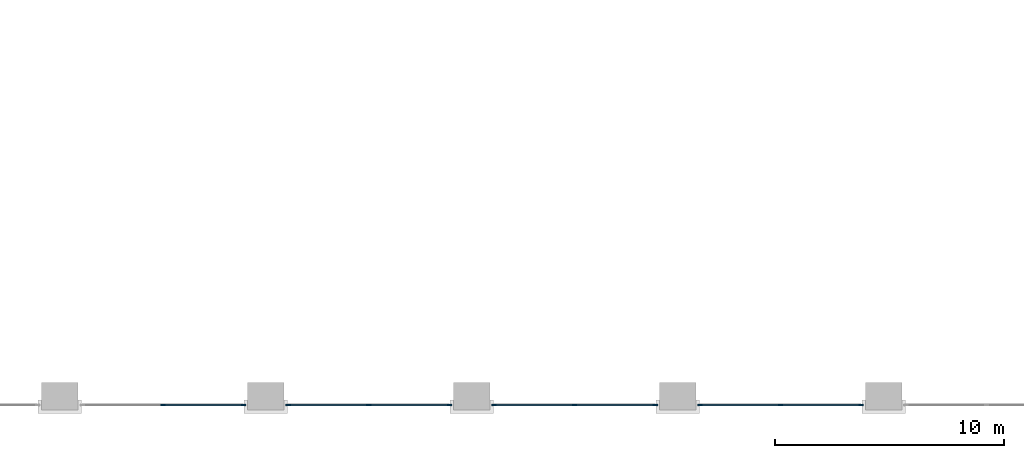
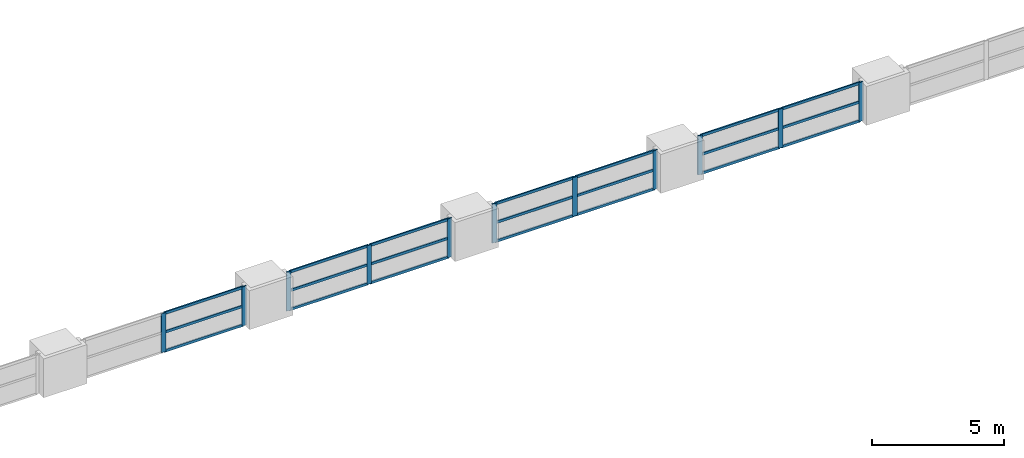
# One storey, part 4 of 32: 32 members, 4 elements without a shape of their own.
"""IFC4 building model written with IfcOpenShell, lengths in metres."""

import ifcopenshell
import ifcopenshell.guid

model = None  # the IFC model being written
_history = None  # IfcOwnerHistory: only IFC2X3 demands one
_inside = {}  # id of a spatial element -> (the spatial element, [elements in it])
_under = {}  # id of a project, library or spatial element -> (it, [spatial elements below it])
_declared = {}  # id of a project -> (the project, [libraries it declares])
_typed = {}  # id of a type object -> (the type object, [elements of that type])
_made_of = {}  # id of a material, layer set ... -> (it, [elements and type objects made of it])


def new_model(schema):
    """Start an empty IFC model of exactly this schema.

    Asked for "IFC4X3", IfcOpenShell would pick the latest addendum, in which some entities
    have other attributes; the version numbers below select the first issue.
    IFC2X3 requires an IfcOwnerHistory on every rooted entity: one is made here for all.
    """
    global model, _history
    if schema == "IFC4X3":
        model = ifcopenshell.file(schema_version=(4, 3, 0, 0))
    else:
        model = ifcopenshell.file(schema=schema)
    _inside.clear()
    _under.clear()
    _declared.clear()
    _typed.clear()
    _made_of.clear()
    _history = None
    if model.schema == "IFC2X3":
        org = make("IfcOrganization", Name="unknown")
        user = make(
            "IfcPersonAndOrganization",
            ThePerson=make("IfcPerson", FamilyName="unknown"),
            TheOrganization=org,
        )
        app = make(
            "IfcApplication",
            ApplicationDeveloper=org,
            Version="unknown",
            ApplicationFullName="unknown",
            ApplicationIdentifier="unknown",
        )
        _history = make(
            "IfcOwnerHistory",
            OwningUser=user,
            OwningApplication=app,
            ChangeAction="ADDED",
            CreationDate=0,
        )
    return model


def make(cls, **values):
    """One entity of the class cls with the attributes given. An attribute that is None is left unset."""
    return model.create_entity(
        cls, **{name: value for name, value in values.items() if value is not None}
    )


def rooted(cls, **values):
    """An entity with a GlobalId (a new one), such as an element, a storey or a relation."""
    return make(cls, GlobalId=ifcopenshell.guid.new(), OwnerHistory=_history, **values)


def si_unit(unit_type, name, prefix=None):
    """IfcSIUnit, for example si_unit("LENGTHUNIT", "METRE", prefix="MILLI")."""
    return make("IfcSIUnit", UnitType=unit_type, Prefix=prefix, Name=name)


def assignment(units):
    """IfcUnitAssignment: the units of a project."""
    return None if units is None else make("IfcUnitAssignment", Units=units)


def point(xyz):
    """IfcCartesianPoint."""
    return None if xyz is None else make("IfcCartesianPoint", Coordinates=xyz)


def direction(xyz):
    """IfcDirection."""
    return None if xyz is None else make("IfcDirection", DirectionRatios=xyz)


def frame(location, z_axis=None, x_axis=None):
    """IfcAxis2Placement3D, a coordinate frame: its origin and axes. An axis left out is left unset."""
    return make(
        "IfcAxis2Placement3D",
        Location=point(location),
        Axis=direction(z_axis),
        RefDirection=direction(x_axis),
    )


def frame_2d(location, x_axis=None):
    """IfcAxis2Placement2D, a coordinate frame in the plane: its origin and x axis."""
    return make(
        "IfcAxis2Placement2D", Location=point(location), RefDirection=direction(x_axis)
    )


def origin():
    """The frame at (0, 0, 0) with its axes left unset."""
    return frame((0.0, 0.0, 0.0))


def origin_2d():
    """The frame at (0, 0) in the plane with its x axis left unset."""
    return frame_2d((0.0, 0.0))


def place(relative_to, where):
    """IfcLocalPlacement: puts the frame where relative to a parent placement (None: the world)."""
    return make(
        "IfcLocalPlacement", PlacementRelTo=relative_to, RelativePlacement=where
    )


def context(
    kind, dimensions, precision=None, world=None, true_north=None, identifier=None
):
    """IfcGeometricRepresentationContext, for example the 3D "Model" context."""
    return make(
        "IfcGeometricRepresentationContext",
        ContextIdentifier=identifier,
        ContextType=kind,
        CoordinateSpaceDimension=dimensions,
        Precision=precision,
        WorldCoordinateSystem=world,
        TrueNorth=true_north,
    )


def subcontext(parent, identifier, kind, view, scale=None):
    """IfcGeometricRepresentationSubContext, for example "Body" below "Model"."""
    return make(
        "IfcGeometricRepresentationSubContext",
        ContextIdentifier=identifier,
        ContextType=kind,
        ParentContext=parent,
        TargetScale=scale,
        TargetView=view,
    )


def project(units=None, contexts=None):
    """IfcProject with its units and contexts."""
    return rooted(
        "IfcProject",
        Name="project",
        RepresentationContexts=contexts,
        UnitsInContext=assignment(units),
    )


def spatial(cls, under=None, at=None, **own):
    """A site, building, storey or space (cls), placed at a placement, below another one or the project."""
    s = rooted(cls, ObjectPlacement=at, **own)
    if under is not None:
        _under.setdefault(under.id(), (under, []))[1].append(s)
    return s


def profile(cls, at=None, kind="AREA", **sizes):
    """A parametric profile (cls). Its sizes go by their IFC names, for example OverallWidth=200.0."""
    return make(cls, ProfileType=kind, Position=at, **sizes)


def rectangle(**sizes):
    """IfcRectangleProfileDef."""
    return profile("IfcRectangleProfileDef", **sizes)


def extrude(swept, where, along, depth):
    """IfcExtrudedAreaSolid: the profile swept, set in the frame where, extruded along a direction by depth."""
    return make(
        "IfcExtrudedAreaSolid",
        SweptArea=swept,
        Position=where,
        ExtrudedDirection=direction(along),
        Depth=depth,
    )


def shape(context_of_items, identifier, shape_type, items):
    """IfcShapeRepresentation: the items that make up one representation, for example the "Body"."""
    return make(
        "IfcShapeRepresentation",
        ContextOfItems=context_of_items,
        RepresentationIdentifier=identifier,
        RepresentationType=shape_type,
        Items=items,
    )


def material(Name=None, Category=None):
    """IfcMaterial."""
    return make("IfcMaterial", Name=Name, Category=Category)


def material_profile(
    of_material, cross_section, Name=None, Category=None, Priority=None
):
    """IfcMaterialProfile: a cross section and its material."""
    return make(
        "IfcMaterialProfile",
        Name=Name,
        Material=of_material,
        Profile=cross_section,
        Priority=Priority,
        Category=Category,
    )


def profile_set(profiles, Name=None, composite=None):
    """IfcMaterialProfileSet."""
    return make(
        "IfcMaterialProfileSet",
        Name=Name,
        MaterialProfiles=profiles,
        CompositeProfile=composite,
    )


def made_of(thing, what):
    """Note that an element or type object is made of a material, layer set ...; save() writes the relation."""
    if what is not None:
        _made_of.setdefault(what.id(), (what, []))[1].append(thing)
    return thing


def type_object(cls, material=None, **own):
    """A type object (cls), such as IfcWallType, which elements share."""
    return made_of(rooted(cls, **own), material)


def element(
    cls,
    number,
    at=None,
    inside=None,
    cuts=None,
    type_object=None,
    material=None,
    context=None,
    identifier="Body",
    shape_type=None,
    held_by="IfcProductDefinitionShape",
    body=None,
    shapes=None,
    **own,
):
    """One element of the class cls, such as IfcWall. Its Tag is "e" and its number.

    at: its placement. inside: the storey or other place that contains it. cuts: it is an
    opening in that element (IfcRelVoidsElement). A single representation is given by context,
    identifier, shape_type and body (its items); several are given by shapes. held_by: the class
    of the entity that holds the representations. save() writes the other relations.
    """
    e = rooted(cls, Tag="e%d" % number, ObjectPlacement=at, **own)
    if body is not None:
        shapes = [shape(context, identifier, shape_type, body)]
    if shapes is not None:
        e.Representation = make(held_by, Representations=shapes)
    if inside is not None:
        _inside.setdefault(inside.id(), (inside, []))[1].append(e)
    if cuts is not None:
        rooted(
            "IfcRelVoidsElement", RelatingBuildingElement=cuts, RelatedOpeningElement=e
        )
    if type_object is not None:
        _typed.setdefault(type_object.id(), (type_object, []))[1].append(e)
    return made_of(e, material)


def aggregate(whole, parts):
    """IfcRelAggregates: a whole, such as a stair, and the parts it consists of."""
    return rooted("IfcRelAggregates", RelatingObject=whole, RelatedObjects=parts)


def save(model, path):
    """Write the relations noted so far, then the file.

    IfcRelAggregates (storeys below a building ...), IfcRelContainedInSpatialStructure (elements
    in a storey), IfcRelDefinesByType, IfcRelAssociatesMaterial and IfcRelDeclares: one each for
    every whole, place, type object, material and project.
    """
    for whole, parts in _under.values():
        aggregate(whole, parts)
    for where, things in _inside.values():
        rooted(
            "IfcRelContainedInSpatialStructure",
            RelatedElements=things,
            RelatingStructure=where,
        )
    for kind, things in _typed.values():
        rooted("IfcRelDefinesByType", RelatedObjects=things, RelatingType=kind)
    for what, things in _made_of.values():
        rooted("IfcRelAssociatesMaterial", RelatedObjects=things, RelatingMaterial=what)
    for by, libraries in _declared.values():
        rooted("IfcRelDeclares", RelatingContext=by, RelatedDefinitions=libraries)
    model.write(path)


model = new_model("IFC4")

# Units and contexts
model_context = context("Model", 3, precision=1e-05, world=origin(), true_north=direction((0.0, 1.0)))
body_context = subcontext(model_context, "Body", "Model", "MODEL_VIEW")
ifc_project = project(units=[si_unit("LENGTHUNIT", "METRE"), si_unit("AREAUNIT", "SQUARE_METRE"), si_unit("VOLUMEUNIT", "CUBIC_METRE"), si_unit("PLANEANGLEUNIT", "RADIAN"), si_unit("MASSUNIT", "GRAM", prefix="KILO")], contexts=[model_context])

# Site, building, storey
site_placement = place(None, origin())
site = spatial("IfcSite", under=ifc_project, at=site_placement, CompositionType="ELEMENT")
building_placement = place(site_placement, origin())
building = spatial("IfcBuilding", under=site, at=building_placement, Name="Aravalli Gate Trade Fair Centre", CompositionType="ELEMENT")
storey_placement = place(building_placement, frame((0.0, 0.0, 23.39990234375)))
storey = spatial("IfcBuildingStorey", under=building, at=storey_placement, Name="ROOF LEVEL 1", CompositionType="ELEMENT", Elevation=23.39990234375)

# Curtain wall, members
ifc_material_1 = material(Name="Aluminium, glass and louvre", Category="aluminium")
curtain_wall_type = type_object("IfcCurtainWallType", Name="Hall crown curtain wall 3000 module", PredefinedType="NOTDEFINED", material=ifc_material_1)
curtain_wall_1_placement = place(storey_placement, origin())
curtain_wall_1 = element("IfcCurtainWall", 1, at=curtain_wall_1_placement, inside=storey, type_object=curtain_wall_type, Name="Hall south crown curtain wall bay 4 ROOF LEVEL 1", PredefinedType="NOTDEFINED")
ifc_material_2 = material(Name="Aluminium", Category="aluminium")
ifc_material_profile_1 = material_profile(ifc_material_2, rectangle(XDim=0.06005859375, YDim=0.199951171875, at=origin_2d()), Name="Hall curtain wall mullion 60 x 200")
ifc_profile_set_1 = profile_set([ifc_material_profile_1], Name="Aluminium")
member_type_1 = type_object("IfcMemberType", Name="Hall curtain wall mullion 60 x 200", PredefinedType="MULLION", material=ifc_profile_set_1)
member_1_placement = place(storey_placement, frame((37.5, 45.625, 0.0), z_axis=(0.0, 0.0, 1.0), x_axis=(0.0, 1.0, 0.0)))
member_1 = element("IfcMember", 2, at=member_1_placement, type_object=member_type_1, Name="HCW1 mullion 2", PredefinedType="MULLION", context=body_context, shape_type="SweptSolid", body=[
    extrude(rectangle(XDim=0.06005859375, YDim=0.199951171875, at=origin_2d()), origin(), (0.0, 0.0, 1.0), 1.800048828125),
])
member_2_placement = place(storey_placement, frame((41.02001953125, 45.625, 0.0), z_axis=(0.0, 0.0, 1.0), x_axis=(0.0, 1.0, 0.0)))
member_2 = element("IfcMember", 3, at=member_2_placement, type_object=member_type_1, Name="HCW1 mullion 3", PredefinedType="MULLION", context=body_context, shape_type="SweptSolid", body=[
    extrude(rectangle(XDim=0.06005859375, YDim=0.199951171875, at=origin_2d()), origin(), (0.0, 0.0, 1.0), 1.800048828125),
])

curtain_wall_2_placement = place(storey_placement, origin())
curtain_wall_2 = element("IfcCurtainWall", 4, at=curtain_wall_2_placement, inside=storey, type_object=curtain_wall_type, Name="Hall south crown curtain wall bay 5 ROOF LEVEL 1", PredefinedType="NOTDEFINED")
member_3_placement = place(storey_placement, frame((42.97998046875, 45.625, 0.0), z_axis=(0.0, 0.0, 1.0), x_axis=(0.0, 1.0, 0.0)))
member_3 = element("IfcMember", 5, at=member_3_placement, type_object=member_type_1, Name="HCW1 mullion 1", PredefinedType="MULLION", context=body_context, shape_type="SweptSolid", body=[
    extrude(rectangle(XDim=0.06005859375, YDim=0.199951171875, at=origin_2d()), origin(), (0.0, 0.0, 1.0), 1.800048828125),
])
member_4_placement = place(storey_placement, frame((46.5, 45.625, 0.0), z_axis=(0.0, 0.0, 1.0), x_axis=(0.0, 1.0, 0.0)))
member_4 = element("IfcMember", 6, at=member_4_placement, type_object=member_type_1, Name="HCW1 mullion 2", PredefinedType="MULLION", context=body_context, shape_type="SweptSolid", body=[
    extrude(rectangle(XDim=0.06005859375, YDim=0.199951171875, at=origin_2d()), origin(), (0.0, 0.0, 1.0), 1.800048828125),
])
member_5_placement = place(storey_placement, frame((50.02001953125, 45.625, 0.0), z_axis=(0.0, 0.0, 1.0), x_axis=(0.0, 1.0, 0.0)))
member_5 = element("IfcMember", 7, at=member_5_placement, type_object=member_type_1, Name="HCW1 mullion 3", PredefinedType="MULLION", context=body_context, shape_type="SweptSolid", body=[
    extrude(rectangle(XDim=0.06005859375, YDim=0.199951171875, at=origin_2d()), origin(), (0.0, 0.0, 1.0), 1.800048828125),
])

curtain_wall_3_placement = place(storey_placement, origin())
curtain_wall_3 = element("IfcCurtainWall", 8, at=curtain_wall_3_placement, inside=storey, type_object=curtain_wall_type, Name="Hall south crown curtain wall bay 6 ROOF LEVEL 1", PredefinedType="NOTDEFINED")
member_6_placement = place(storey_placement, frame((51.97998046875, 45.625, 0.0), z_axis=(0.0, 0.0, 1.0), x_axis=(0.0, 1.0, 0.0)))
member_6 = element("IfcMember", 9, at=member_6_placement, type_object=member_type_1, Name="HCW1 mullion 1", PredefinedType="MULLION", context=body_context, shape_type="SweptSolid", body=[
    extrude(rectangle(XDim=0.06005859375, YDim=0.199951171875, at=origin_2d()), origin(), (0.0, 0.0, 1.0), 1.800048828125),
])
member_7_placement = place(storey_placement, frame((55.5, 45.625, 0.0), z_axis=(0.0, 0.0, 1.0), x_axis=(0.0, 1.0, 0.0)))
member_7 = element("IfcMember", 10, at=member_7_placement, type_object=member_type_1, Name="HCW1 mullion 2", PredefinedType="MULLION", context=body_context, shape_type="SweptSolid", body=[
    extrude(rectangle(XDim=0.06005859375, YDim=0.199951171875, at=origin_2d()), origin(), (0.0, 0.0, 1.0), 1.800048828125),
])
member_8_placement = place(storey_placement, frame((59.02001953125, 45.625, 0.0), z_axis=(0.0, 0.0, 1.0), x_axis=(0.0, 1.0, 0.0)))
member_8 = element("IfcMember", 11, at=member_8_placement, type_object=member_type_1, Name="HCW1 mullion 3", PredefinedType="MULLION", context=body_context, shape_type="SweptSolid", body=[
    extrude(rectangle(XDim=0.06005859375, YDim=0.199951171875, at=origin_2d()), origin(), (0.0, 0.0, 1.0), 1.800048828125),
])

curtain_wall_4_placement = place(storey_placement, origin())
curtain_wall_4 = element("IfcCurtainWall", 12, at=curtain_wall_4_placement, inside=storey, type_object=curtain_wall_type, Name="Hall south crown curtain wall bay 7 ROOF LEVEL 1", PredefinedType="NOTDEFINED")
member_9_placement = place(storey_placement, frame((60.97998046875, 45.625, 0.0), z_axis=(0.0, 0.0, 1.0), x_axis=(0.0, 1.0, 0.0)))
member_9 = element("IfcMember", 13, at=member_9_placement, type_object=member_type_1, Name="HCW1 mullion 1", PredefinedType="MULLION", context=body_context, shape_type="SweptSolid", body=[
    extrude(rectangle(XDim=0.06005859375, YDim=0.199951171875, at=origin_2d()), origin(), (0.0, 0.0, 1.0), 1.800048828125),
])
member_10_placement = place(storey_placement, frame((64.5, 45.625, 0.0), z_axis=(0.0, 0.0, 1.0), x_axis=(0.0, 1.0, 0.0)))
member_10 = element("IfcMember", 14, at=member_10_placement, type_object=member_type_1, Name="HCW1 mullion 2", PredefinedType="MULLION", context=body_context, shape_type="SweptSolid", body=[
    extrude(rectangle(XDim=0.06005859375, YDim=0.199951171875, at=origin_2d()), origin(), (0.0, 0.0, 1.0), 1.800048828125),
])
member_11_placement = place(storey_placement, frame((68.02001953125, 45.625, 0.0), z_axis=(0.0, 0.0, 1.0), x_axis=(0.0, 1.0, 0.0)))
member_11 = element("IfcMember", 15, at=member_11_placement, type_object=member_type_1, Name="HCW1 mullion 3", PredefinedType="MULLION", context=body_context, shape_type="SweptSolid", body=[
    extrude(rectangle(XDim=0.06005859375, YDim=0.199951171875, at=origin_2d()), origin(), (0.0, 0.0, 1.0), 1.800048828125),
])

# Member
ifc_material_profile_2 = material_profile(ifc_material_2, rectangle(XDim=0.06005859375, YDim=0.1201171875, at=origin_2d()), Name="Hall curtain wall transom 60 x 120")
ifc_profile_set_2 = profile_set([ifc_material_profile_2], Name="Aluminium")
member_type_2 = type_object("IfcMemberType", Name="Hall curtain wall transom 60 x 120", PredefinedType="USERDEFINED", material=ifc_profile_set_2)
member_12_placement = place(storey_placement, frame((37.530029296875, 45.625, 0.030029296875), z_axis=(1.0, 0.0, 0.0), x_axis=(0.0, 1.0, 0.0)))
member_12 = element("IfcMember", 16, at=member_12_placement, type_object=member_type_2, Name="HCW1 transom 2.1", ObjectType="TRANSOM", PredefinedType="USERDEFINED", context=body_context, shape_type="SweptSolid", body=[
    extrude(rectangle(XDim=0.06005859375, YDim=0.1201171875, at=origin_2d()), origin(), (0.0, 0.0, 1.0), 3.4599609375),
])

member_13_placement = place(storey_placement, frame((37.530029296875, 45.625, 0.900146484375), z_axis=(1.0, 0.0, 0.0), x_axis=(0.0, 1.0, 0.0)))
member_13 = element("IfcMember", 17, at=member_13_placement, type_object=member_type_2, Name="HCW1 transom 2.2", ObjectType="TRANSOM", PredefinedType="USERDEFINED", context=body_context, shape_type="SweptSolid", body=[
    extrude(rectangle(XDim=0.06005859375, YDim=0.1201171875, at=origin_2d()), origin(), (0.0, 0.0, 1.0), 3.4599609375),
])

member_14_placement = place(storey_placement, frame((37.530029296875, 45.625, 1.77001953125), z_axis=(1.0, 0.0, 0.0), x_axis=(0.0, 1.0, 0.0)))
member_14 = element("IfcMember", 18, at=member_14_placement, type_object=member_type_2, Name="HCW1 transom 2.3", ObjectType="TRANSOM", PredefinedType="USERDEFINED", context=body_context, shape_type="SweptSolid", body=[
    extrude(rectangle(XDim=0.06005859375, YDim=0.1201171875, at=origin_2d()), origin(), (0.0, 0.0, 1.0), 3.4599609375),
])

aggregate(curtain_wall_1, [member_1, member_2, member_12, member_13, member_14])

member_15_placement = place(storey_placement, frame((43.010009765625, 45.625, 0.030029296875), z_axis=(1.0, 0.0, 0.0), x_axis=(0.0, 1.0, 0.0)))
member_15 = element("IfcMember", 19, at=member_15_placement, type_object=member_type_2, Name="HCW1 transom 1.1", ObjectType="TRANSOM", PredefinedType="USERDEFINED", context=body_context, shape_type="SweptSolid", body=[
    extrude(rectangle(XDim=0.06005859375, YDim=0.1201171875, at=origin_2d()), origin(), (0.0, 0.0, 1.0), 3.4599609375),
])

member_16_placement = place(storey_placement, frame((43.010009765625, 45.625, 0.900146484375), z_axis=(1.0, 0.0, 0.0), x_axis=(0.0, 1.0, 0.0)))
member_16 = element("IfcMember", 20, at=member_16_placement, type_object=member_type_2, Name="HCW1 transom 1.2", ObjectType="TRANSOM", PredefinedType="USERDEFINED", context=body_context, shape_type="SweptSolid", body=[
    extrude(rectangle(XDim=0.06005859375, YDim=0.1201171875, at=origin_2d()), origin(), (0.0, 0.0, 1.0), 3.4599609375),
])

member_17_placement = place(storey_placement, frame((43.010009765625, 45.625, 1.77001953125), z_axis=(1.0, 0.0, 0.0), x_axis=(0.0, 1.0, 0.0)))
member_17 = element("IfcMember", 21, at=member_17_placement, type_object=member_type_2, Name="HCW1 transom 1.3", ObjectType="TRANSOM", PredefinedType="USERDEFINED", context=body_context, shape_type="SweptSolid", body=[
    extrude(rectangle(XDim=0.06005859375, YDim=0.1201171875, at=origin_2d()), origin(), (0.0, 0.0, 1.0), 3.4599609375),
])

member_18_placement = place(storey_placement, frame((46.530029296875, 45.625, 0.030029296875), z_axis=(1.0, 0.0, 0.0), x_axis=(0.0, 1.0, 0.0)))
member_18 = element("IfcMember", 22, at=member_18_placement, type_object=member_type_2, Name="HCW1 transom 2.1", ObjectType="TRANSOM", PredefinedType="USERDEFINED", context=body_context, shape_type="SweptSolid", body=[
    extrude(rectangle(XDim=0.06005859375, YDim=0.1201171875, at=origin_2d()), origin(), (0.0, 0.0, 1.0), 3.4599609375),
])

member_19_placement = place(storey_placement, frame((46.530029296875, 45.625, 0.900146484375), z_axis=(1.0, 0.0, 0.0), x_axis=(0.0, 1.0, 0.0)))
member_19 = element("IfcMember", 23, at=member_19_placement, type_object=member_type_2, Name="HCW1 transom 2.2", ObjectType="TRANSOM", PredefinedType="USERDEFINED", context=body_context, shape_type="SweptSolid", body=[
    extrude(rectangle(XDim=0.06005859375, YDim=0.1201171875, at=origin_2d()), origin(), (0.0, 0.0, 1.0), 3.4599609375),
])

member_20_placement = place(storey_placement, frame((46.530029296875, 45.625, 1.77001953125), z_axis=(1.0, 0.0, 0.0), x_axis=(0.0, 1.0, 0.0)))
member_20 = element("IfcMember", 24, at=member_20_placement, type_object=member_type_2, Name="HCW1 transom 2.3", ObjectType="TRANSOM", PredefinedType="USERDEFINED", context=body_context, shape_type="SweptSolid", body=[
    extrude(rectangle(XDim=0.06005859375, YDim=0.1201171875, at=origin_2d()), origin(), (0.0, 0.0, 1.0), 3.4599609375),
])

aggregate(curtain_wall_2, [member_3, member_4, member_5, member_15, member_16, member_17, member_18, member_19, member_20])

member_21_placement = place(storey_placement, frame((52.010009765625, 45.625, 0.030029296875), z_axis=(1.0, 0.0, 0.0), x_axis=(0.0, 1.0, 0.0)))
member_21 = element("IfcMember", 25, at=member_21_placement, type_object=member_type_2, Name="HCW1 transom 1.1", ObjectType="TRANSOM", PredefinedType="USERDEFINED", context=body_context, shape_type="SweptSolid", body=[
    extrude(rectangle(XDim=0.06005859375, YDim=0.1201171875, at=origin_2d()), origin(), (0.0, 0.0, 1.0), 3.4599609375),
])

member_22_placement = place(storey_placement, frame((52.010009765625, 45.625, 0.900146484375), z_axis=(1.0, 0.0, 0.0), x_axis=(0.0, 1.0, 0.0)))
member_22 = element("IfcMember", 26, at=member_22_placement, type_object=member_type_2, Name="HCW1 transom 1.2", ObjectType="TRANSOM", PredefinedType="USERDEFINED", context=body_context, shape_type="SweptSolid", body=[
    extrude(rectangle(XDim=0.06005859375, YDim=0.1201171875, at=origin_2d()), origin(), (0.0, 0.0, 1.0), 3.4599609375),
])

member_23_placement = place(storey_placement, frame((52.010009765625, 45.625, 1.77001953125), z_axis=(1.0, 0.0, 0.0), x_axis=(0.0, 1.0, 0.0)))
member_23 = element("IfcMember", 27, at=member_23_placement, type_object=member_type_2, Name="HCW1 transom 1.3", ObjectType="TRANSOM", PredefinedType="USERDEFINED", context=body_context, shape_type="SweptSolid", body=[
    extrude(rectangle(XDim=0.06005859375, YDim=0.1201171875, at=origin_2d()), origin(), (0.0, 0.0, 1.0), 3.4599609375),
])

member_24_placement = place(storey_placement, frame((55.530029296875, 45.625, 0.030029296875), z_axis=(1.0, 0.0, 0.0), x_axis=(0.0, 1.0, 0.0)))
member_24 = element("IfcMember", 28, at=member_24_placement, type_object=member_type_2, Name="HCW1 transom 2.1", ObjectType="TRANSOM", PredefinedType="USERDEFINED", context=body_context, shape_type="SweptSolid", body=[
    extrude(rectangle(XDim=0.06005859375, YDim=0.1201171875, at=origin_2d()), origin(), (0.0, 0.0, 1.0), 3.4599609375),
])

member_25_placement = place(storey_placement, frame((55.530029296875, 45.625, 0.900146484375), z_axis=(1.0, 0.0, 0.0), x_axis=(0.0, 1.0, 0.0)))
member_25 = element("IfcMember", 29, at=member_25_placement, type_object=member_type_2, Name="HCW1 transom 2.2", ObjectType="TRANSOM", PredefinedType="USERDEFINED", context=body_context, shape_type="SweptSolid", body=[
    extrude(rectangle(XDim=0.06005859375, YDim=0.1201171875, at=origin_2d()), origin(), (0.0, 0.0, 1.0), 3.4599609375),
])

member_26_placement = place(storey_placement, frame((55.530029296875, 45.625, 1.77001953125), z_axis=(1.0, 0.0, 0.0), x_axis=(0.0, 1.0, 0.0)))
member_26 = element("IfcMember", 30, at=member_26_placement, type_object=member_type_2, Name="HCW1 transom 2.3", ObjectType="TRANSOM", PredefinedType="USERDEFINED", context=body_context, shape_type="SweptSolid", body=[
    extrude(rectangle(XDim=0.06005859375, YDim=0.1201171875, at=origin_2d()), origin(), (0.0, 0.0, 1.0), 3.4599609375),
])

aggregate(curtain_wall_3, [member_6, member_7, member_8, member_21, member_22, member_23, member_24, member_25, member_26])

member_27_placement = place(storey_placement, frame((61.010009765625, 45.625, 0.030029296875), z_axis=(1.0, 0.0, 0.0), x_axis=(0.0, 1.0, 0.0)))
member_27 = element("IfcMember", 31, at=member_27_placement, type_object=member_type_2, Name="HCW1 transom 1.1", ObjectType="TRANSOM", PredefinedType="USERDEFINED", context=body_context, shape_type="SweptSolid", body=[
    extrude(rectangle(XDim=0.06005859375, YDim=0.1201171875, at=origin_2d()), origin(), (0.0, 0.0, 1.0), 3.4599609375),
])

member_28_placement = place(storey_placement, frame((61.010009765625, 45.625, 0.900146484375), z_axis=(1.0, 0.0, 0.0), x_axis=(0.0, 1.0, 0.0)))
member_28 = element("IfcMember", 32, at=member_28_placement, type_object=member_type_2, Name="HCW1 transom 1.2", ObjectType="TRANSOM", PredefinedType="USERDEFINED", context=body_context, shape_type="SweptSolid", body=[
    extrude(rectangle(XDim=0.06005859375, YDim=0.1201171875, at=origin_2d()), origin(), (0.0, 0.0, 1.0), 3.4599609375),
])

member_29_placement = place(storey_placement, frame((61.010009765625, 45.625, 1.77001953125), z_axis=(1.0, 0.0, 0.0), x_axis=(0.0, 1.0, 0.0)))
member_29 = element("IfcMember", 33, at=member_29_placement, type_object=member_type_2, Name="HCW1 transom 1.3", ObjectType="TRANSOM", PredefinedType="USERDEFINED", context=body_context, shape_type="SweptSolid", body=[
    extrude(rectangle(XDim=0.06005859375, YDim=0.1201171875, at=origin_2d()), origin(), (0.0, 0.0, 1.0), 3.4599609375),
])

member_30_placement = place(storey_placement, frame((64.530029296875, 45.625, 0.030029296875), z_axis=(1.0, 0.0, 0.0), x_axis=(0.0, 1.0, 0.0)))
member_30 = element("IfcMember", 34, at=member_30_placement, type_object=member_type_2, Name="HCW1 transom 2.1", ObjectType="TRANSOM", PredefinedType="USERDEFINED", context=body_context, shape_type="SweptSolid", body=[
    extrude(rectangle(XDim=0.06005859375, YDim=0.1201171875, at=origin_2d()), origin(), (0.0, 0.0, 1.0), 3.4599609375),
])

member_31_placement = place(storey_placement, frame((64.530029296875, 45.625, 0.900146484375), z_axis=(1.0, 0.0, 0.0), x_axis=(0.0, 1.0, 0.0)))
member_31 = element("IfcMember", 35, at=member_31_placement, type_object=member_type_2, Name="HCW1 transom 2.2", ObjectType="TRANSOM", PredefinedType="USERDEFINED", context=body_context, shape_type="SweptSolid", body=[
    extrude(rectangle(XDim=0.06005859375, YDim=0.1201171875, at=origin_2d()), origin(), (0.0, 0.0, 1.0), 3.4599609375),
])

member_32_placement = place(storey_placement, frame((64.530029296875, 45.625, 1.77001953125), z_axis=(1.0, 0.0, 0.0), x_axis=(0.0, 1.0, 0.0)))
member_32 = element("IfcMember", 36, at=member_32_placement, type_object=member_type_2, Name="HCW1 transom 2.3", ObjectType="TRANSOM", PredefinedType="USERDEFINED", context=body_context, shape_type="SweptSolid", body=[
    extrude(rectangle(XDim=0.06005859375, YDim=0.1201171875, at=origin_2d()), origin(), (0.0, 0.0, 1.0), 3.4599609375),
])

aggregate(curtain_wall_4, [member_9, member_10, member_11, member_27, member_28, member_29, member_30, member_31, member_32])

save(model, "model.ifc")
